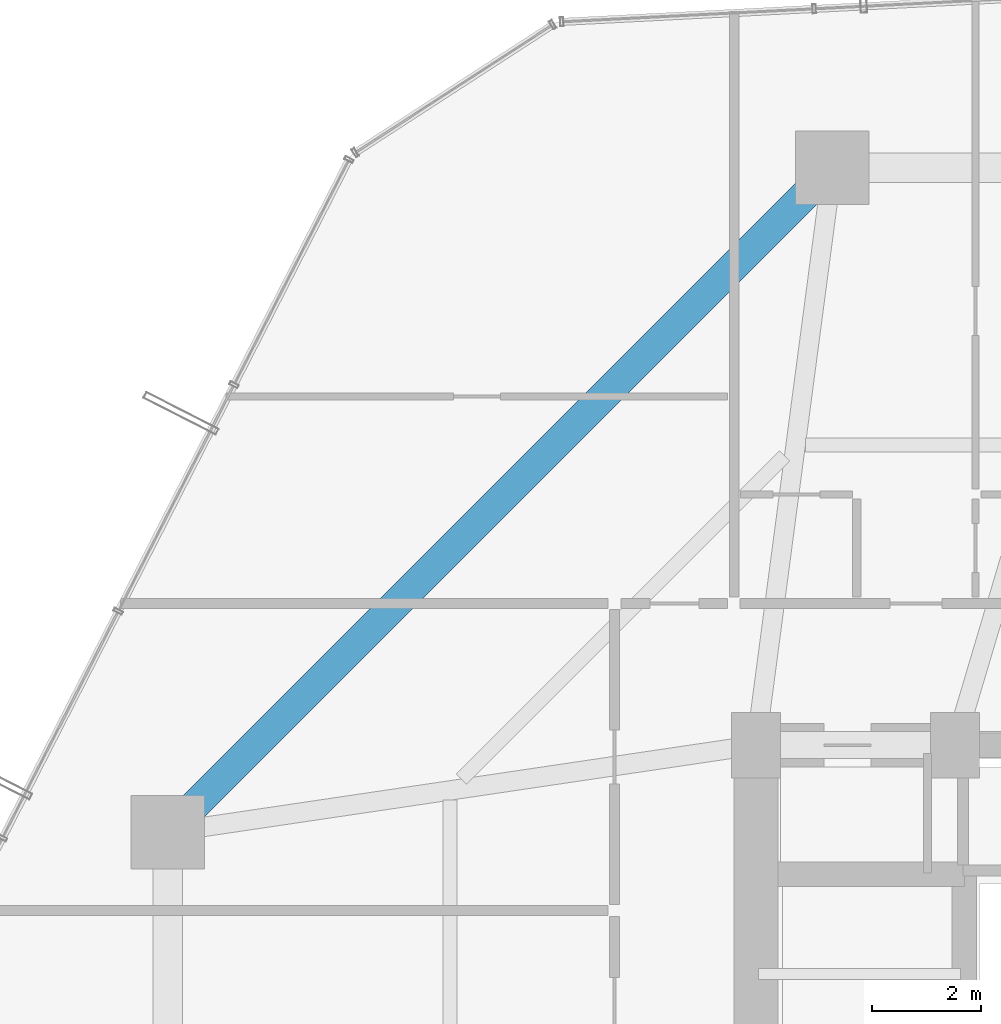
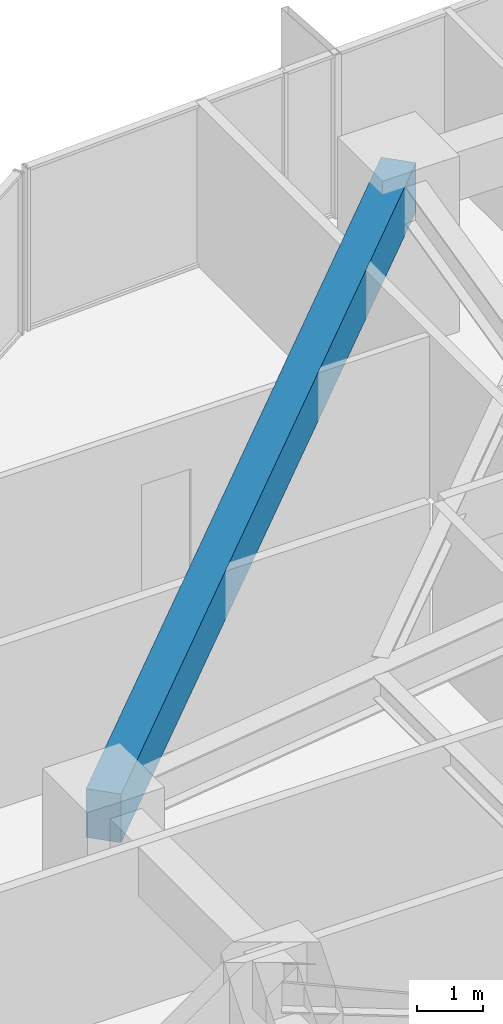
# One storey, part 22 of 37: 1 beam.
"""IFC4 building model written with IfcOpenShell, lengths in metres."""

from ifc_helpers import new_model, si_unit, direction, frame, origin, origin_2d, place, context, subcontext, project, spatial, rectangle, extrude, material, material_profile, profile_set, type_object, element, save


model = new_model("IFC4")

# Units and contexts
model_context = context("Model", 3, precision=1e-05, world=origin(), true_north=direction((0.0, 1.0)))
body_context = subcontext(model_context, "Body", "Model", "MODEL_VIEW")
ifc_project = project(units=[si_unit("LENGTHUNIT", "METRE"), si_unit("AREAUNIT", "SQUARE_METRE"), si_unit("VOLUMEUNIT", "CUBIC_METRE"), si_unit("PLANEANGLEUNIT", "RADIAN"), si_unit("MASSUNIT", "GRAM", prefix="KILO")], contexts=[model_context])

# Site, building, storey
site_placement = place(None, origin())
site = spatial("IfcSite", under=ifc_project, at=site_placement, CompositionType="ELEMENT")
building_placement = place(site_placement, origin())
building = spatial("IfcBuilding", under=site, at=building_placement, Name="Veraguas Prism Commons", CompositionType="ELEMENT")
storey_placement = place(building_placement, frame((0.0, 0.0, 33.800048828125)))
storey = spatial("IfcBuildingStorey", under=building, at=storey_placement, Name="L08", CompositionType="ELEMENT", Elevation=33.800048828125)

# Beam
ifc_material = material(Name="Concrete C50/60", Category="concrete")
ifc_material_profile = material_profile(ifc_material, rectangle(XDim=0.550048828125, YDim=0.89990234375, at=origin_2d()), Name="RC550X900")
ifc_profile_set = profile_set([ifc_material_profile], Name="Concrete C50/60")
beam_type = type_object("IfcBeamType", Name="Perimeter Spandrel Lower RC 550x900", PredefinedType="SPANDREL", material=ifc_profile_set)
beam_placement = place(storey_placement, frame((18.60009765625, 41.60009765625, 2.550048828125), z_axis=(-0.707106781187, -0.707106781187, 0.0), x_axis=(0.707106781187, -0.707106781187, 0.0)))
element("IfcBeam", 1, at=beam_placement, inside=storey, type_object=beam_type, Name="Perimeter Spandrel Beam L08-SP06", PredefinedType="SPANDREL", context=body_context, shape_type="SweptSolid", body=[
    extrude(rectangle(XDim=0.550048828125, YDim=0.89990234375, at=origin_2d()), origin(), (0.0, 0.0, 1.0), 17.253662109375),
])

save(model, "model.ifc")
